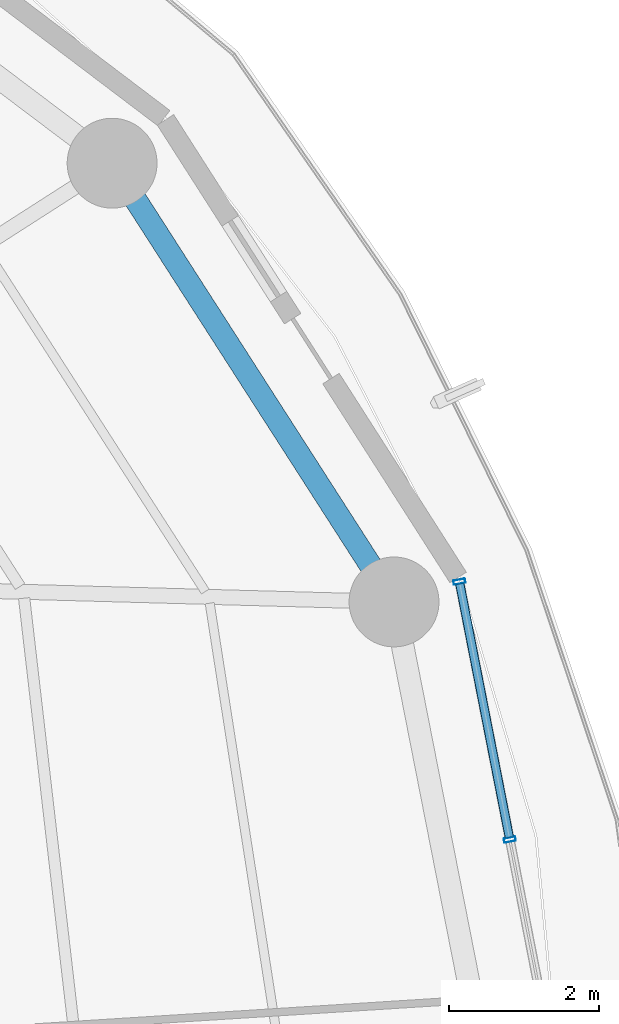
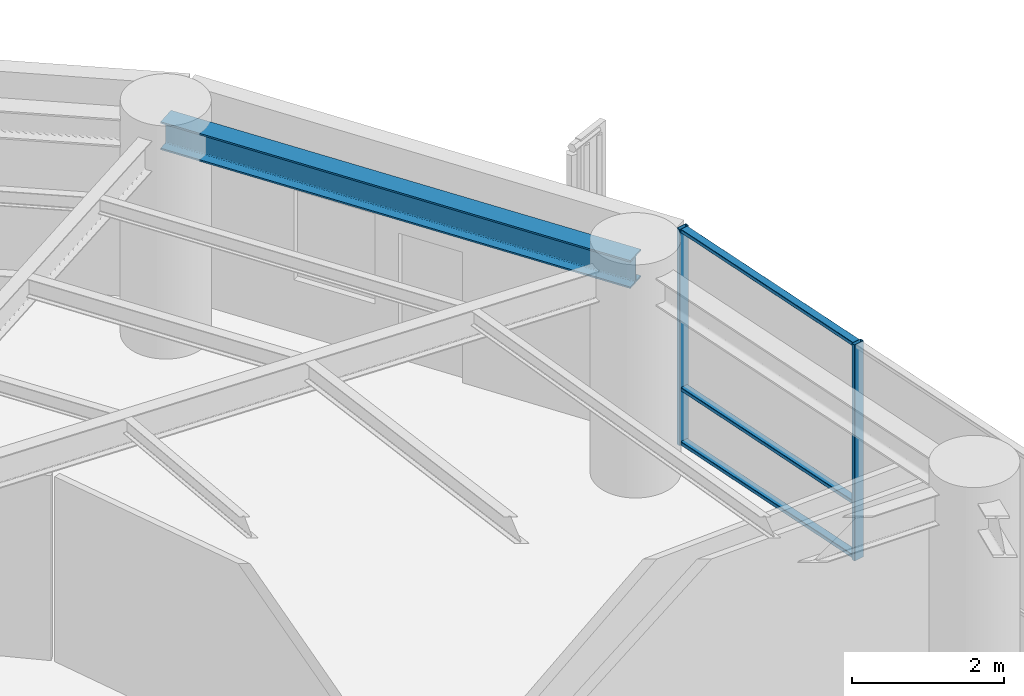
# One storey, part 15 of 28: 5 members, 1 beam, 1 element without a shape of its own.
"""IFC4 building model written with IfcOpenShell, lengths in metres."""

from ifc_helpers import new_model, si_unit, direction, frame, origin, origin_2d, place, context, subcontext, project, spatial, hollow_rectangle, i_section, extrude, material, layer, layer_set, material_profile, profile_set, type_object, element, aggregate, save


model = new_model("IFC4")

# Units and contexts
model_context = context("Model", 3, precision=1e-05, world=origin(), true_north=direction((0.0, 1.0)))
body_context = subcontext(model_context, "Body", "Model", "MODEL_VIEW")
ifc_project = project(units=[si_unit("LENGTHUNIT", "METRE"), si_unit("AREAUNIT", "SQUARE_METRE"), si_unit("VOLUMEUNIT", "CUBIC_METRE"), si_unit("PLANEANGLEUNIT", "RADIAN"), si_unit("MASSUNIT", "GRAM", prefix="KILO")], contexts=[model_context])

# Site, building, storey
site_placement = place(None, origin())
site = spatial("IfcSite", under=ifc_project, at=site_placement, CompositionType="ELEMENT")
building_placement = place(site_placement, origin())
building = spatial("IfcBuilding", under=site, at=building_placement, Name="Kelanora Arch Commons", CompositionType="ELEMENT")
storey_placement = place(building_placement, frame((0.0, 0.0, 158.10009765625)))
storey = spatial("IfcBuildingStorey", under=building, at=storey_placement, Name="L40", CompositionType="ELEMENT", Elevation=158.10009765625)

# Beam
ifc_material_1 = material(Name="Steel S355", Category="steel")
ifc_material_profile_1 = material_profile(ifc_material_1, i_section(OverallWidth=0.300048828125, OverallDepth=0.449951171875, WebThickness=0.013916015625, FlangeThickness=0.02587890625, FilletRadius=0.027099609375, at=origin_2d()), Name="HEB450")
ifc_profile_set_1 = profile_set([ifc_material_profile_1], Name="Steel S355")
beam_type = type_object("IfcBeamType", Name="BM-SPN-Z3", PredefinedType="SPANDREL", material=ifc_profile_set_1)
beam_placement = place(storey_placement, frame((94.37255859375, 64.66259765625, 3.264892578125), z_axis=(-0.540576852469, 0.841294637196, 0.0), x_axis=(-0.841294637196, -0.540576852469, 0.0)))
element("IfcBeam", 1, at=beam_placement, inside=storey, type_object=beam_type, Name="Perimeter Spandrel Beam BS-02 L40", PredefinedType="SPANDREL", context=body_context, shape_type="SweptSolid", body=[
    extrude(i_section(OverallWidth=0.300048828125, OverallDepth=0.449951171875, WebThickness=0.013916015625, FlangeThickness=0.02587890625, FilletRadius=0.027099609375, at=origin_2d()), origin(), (0.0, 0.0, 1.0), 6.964111328125),
])

# Curtain wall, members
ifc_material_2 = material(Name="Terracotta ceramic-fritted low-E glass and aluminium", Category="masonry")
ifc_layer = layer(ifc_material_2, 0.175048828125)
ifc_layer_set = layer_set([ifc_layer], Name="Terracotta ceramic-fritted low-E glass and aluminium")
curtain_wall_type = type_object("IfcCurtainWallType", Name="CW-SYS-02", PredefinedType="NOTDEFINED", material=ifc_layer_set)
curtain_wall_placement = place(storey_placement, origin())
curtain_wall = element("IfcCurtainWall", 2, at=curtain_wall_placement, inside=storey, type_object=curtain_wall_type, Name="Unitised Curtain Wall L40-B00", PredefinedType="NOTDEFINED")
ifc_material_3 = material(Name="Powder-coated aluminium terracotta", Category="masonry")
ifc_material_profile_2 = material_profile(ifc_material_3, hollow_rectangle(XDim=0.159912109375, YDim=0.06005859375, WallThickness=0.0048828125, InnerFilletRadius=0.0048828125, OuterFilletRadius=0.010009765625, at=origin_2d()), Name="CWM160x60")
ifc_profile_set_2 = profile_set([ifc_material_profile_2], Name="Powder-coated aluminium terracotta")
member_type_1 = type_object("IfcMemberType", Name="CWM-STD", PredefinedType="MULLION", material=ifc_profile_set_2)
member_1_placement = place(storey_placement, frame((95.91845703125, 61.488525390625, 0.0), z_axis=(0.0, 0.0, 1.0), x_axis=(-0.981452557718, -0.191705182375, 0.0)))
member_1 = element("IfcMember", 3, at=member_1_placement, type_object=member_type_1, Name="CW-02 mullion 2", PredefinedType="MULLION", context=body_context, shape_type="SweptSolid", body=[
    extrude(hollow_rectangle(XDim=0.159912109375, YDim=0.06005859375, WallThickness=0.0048828125, InnerFilletRadius=0.0048828125, OuterFilletRadius=0.010009765625, at=origin_2d()), origin(), (0.0, 0.0, 1.0), 3.474853515625),
])
member_2_placement = place(storey_placement, frame((95.245849609375, 64.93310546875, 0.0), z_axis=(0.0, 0.0, 1.0), x_axis=(-0.981452557718, -0.191705182375, 0.0)))
member_2 = element("IfcMember", 4, at=member_2_placement, type_object=member_type_1, Name="CW-02 mullion 3", PredefinedType="MULLION", context=body_context, shape_type="SweptSolid", body=[
    extrude(hollow_rectangle(XDim=0.159912109375, YDim=0.06005859375, WallThickness=0.0048828125, InnerFilletRadius=0.0048828125, OuterFilletRadius=0.010009765625, at=origin_2d()), origin(), (0.0, 0.0, 1.0), 3.474853515625),
])
ifc_material_profile_3 = material_profile(ifc_material_3, hollow_rectangle(XDim=0.1201171875, YDim=0.06005859375, WallThickness=0.0048828125, InnerFilletRadius=0.0048828125, OuterFilletRadius=0.010009765625, at=origin_2d()), Name="CWT120x60")
ifc_profile_set_3 = profile_set([ifc_material_profile_3], Name="Powder-coated aluminium terracotta")
member_type_2 = type_object("IfcMemberType", Name="CWT-STD", PredefinedType="USERDEFINED", material=ifc_profile_set_3)
member_3_placement = place(storey_placement, frame((95.912841796875, 61.51806640625, 0.02978515625), z_axis=(-0.191731523726, 0.981447412147, 0.0), x_axis=(-0.981447412147, -0.191731523726, 0.0)))
member_3 = element("IfcMember", 5, at=member_3_placement, type_object=member_type_2, Name="CW-02 transom 2.1", ObjectType="TRANSOM", PredefinedType="USERDEFINED", context=body_context, shape_type="SweptSolid", body=[
    extrude(hollow_rectangle(XDim=0.1201171875, YDim=0.06005859375, WallThickness=0.0048828125, InnerFilletRadius=0.0048828125, OuterFilletRadius=0.010009765625, at=origin_2d()), origin(), (0.0, 0.0, 1.0), 3.449462890625),
])
member_4_placement = place(storey_placement, frame((95.912841796875, 61.51806640625, 0.89990234375), z_axis=(-0.191731523726, 0.981447412147, 0.0), x_axis=(-0.981447412147, -0.191731523726, 0.0)))
member_4 = element("IfcMember", 6, at=member_4_placement, type_object=member_type_2, Name="CW-02 transom 2.2", ObjectType="TRANSOM", PredefinedType="USERDEFINED", context=body_context, shape_type="SweptSolid", body=[
    extrude(hollow_rectangle(XDim=0.1201171875, YDim=0.06005859375, WallThickness=0.0048828125, InnerFilletRadius=0.0048828125, OuterFilletRadius=0.010009765625, at=origin_2d()), origin(), (0.0, 0.0, 1.0), 3.449462890625),
])
member_5_placement = place(storey_placement, frame((95.912841796875, 61.51806640625, 3.44482421875), z_axis=(-0.191731523726, 0.981447412147, 0.0), x_axis=(-0.981447412147, -0.191731523726, 0.0)))
member_5 = element("IfcMember", 7, at=member_5_placement, type_object=member_type_2, Name="CW-02 transom 2.3", ObjectType="TRANSOM", PredefinedType="USERDEFINED", context=body_context, shape_type="SweptSolid", body=[
    extrude(hollow_rectangle(XDim=0.1201171875, YDim=0.06005859375, WallThickness=0.0048828125, InnerFilletRadius=0.0048828125, OuterFilletRadius=0.010009765625, at=origin_2d()), origin(), (0.0, 0.0, 1.0), 3.449462890625),
])
aggregate(curtain_wall, [member_1, member_2, member_3, member_4, member_5])

save(model, "model.ifc")
